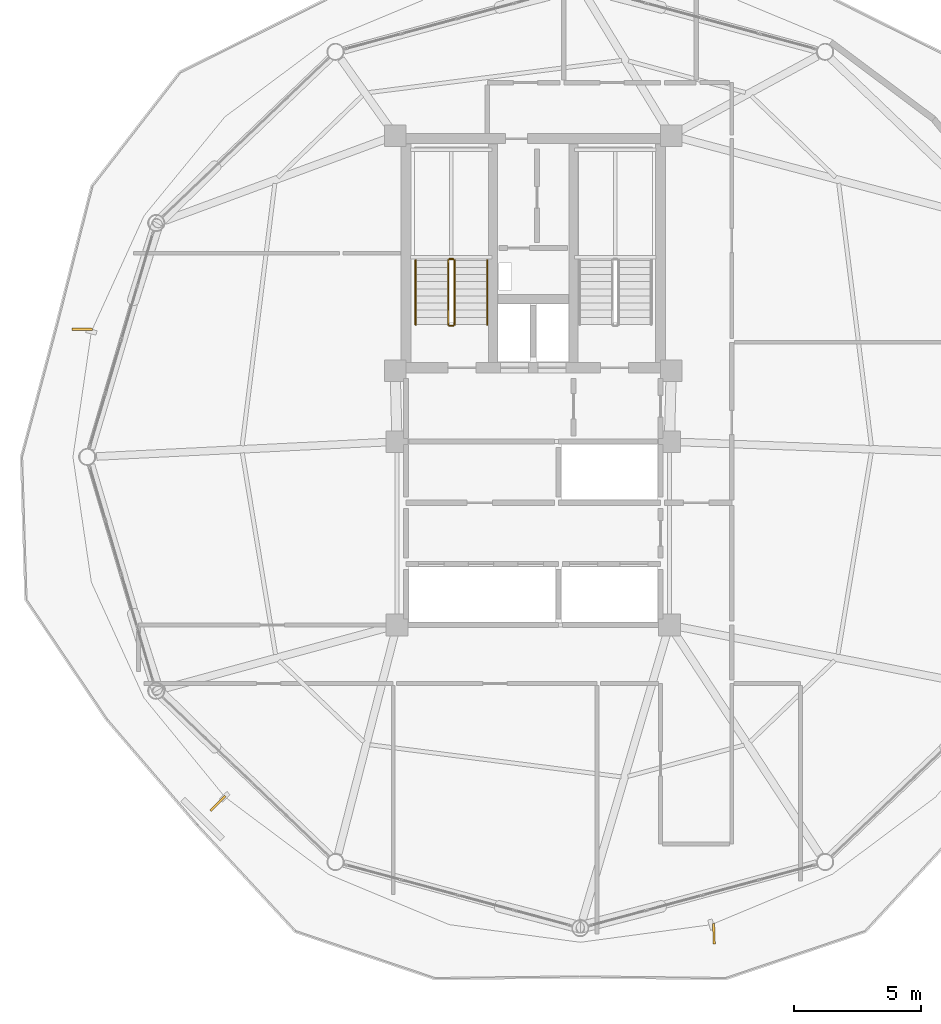
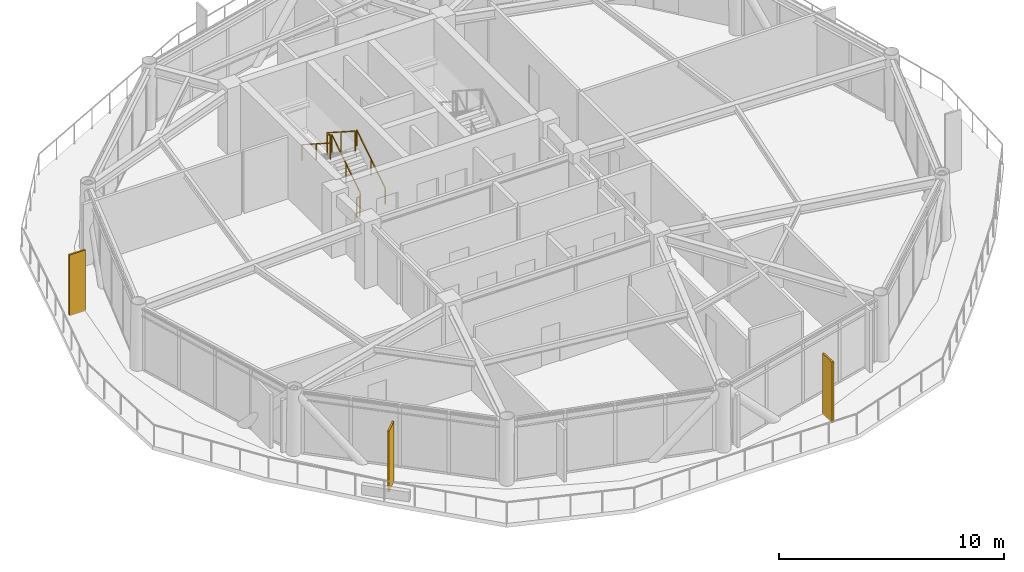
# One storey, part 26 of 28: 6 railings, 3 shading devices.
"""IFC4 building model written with IfcOpenShell, lengths in metres."""

from ifc_helpers import new_model, si_unit, direction, frame, origin, origin_2d, place, context, subcontext, project, spatial, rectangle, extrude, source, transform, mapped, material, type_object, type_shapes, element, save


model = new_model("IFC4")

# Units and contexts
model_context = context("Model", 3, precision=1e-05, world=origin(), true_north=direction((0.0, 1.0)))
body_context = subcontext(model_context, "Body", "Model", "MODEL_VIEW")
ifc_project = project(units=[si_unit("LENGTHUNIT", "METRE"), si_unit("AREAUNIT", "SQUARE_METRE"), si_unit("VOLUMEUNIT", "CUBIC_METRE"), si_unit("PLANEANGLEUNIT", "RADIAN"), si_unit("MASSUNIT", "GRAM", prefix="KILO")], contexts=[model_context])

# Site, building, storey
site_placement = place(None, origin())
site = spatial("IfcSite", under=ifc_project, at=site_placement, CompositionType="ELEMENT")
building_placement = place(site_placement, origin())
building = spatial("IfcBuilding", under=site, at=building_placement, Name="Varnakorn Sky Granary", CompositionType="ELEMENT")
storey_placement = place(building_placement, frame((0.0, 0.0, 200.39990234375)))
storey = spatial("IfcBuildingStorey", under=building, at=storey_placement, Name="L50", CompositionType="ELEMENT", Elevation=200.39990234375)

# Railings
ifc_material_1 = material(Name="Brushed Stainless Steel 316", Category="steel")
railing_type_1 = type_object("IfcRailingType", Name="RL-STAIR-1100", PredefinedType="GUARDRAIL", material=ifc_material_1)
railing_1_placement = place(storey_placement, frame((-0.090087890625, 5.199951171875, 0.18017578125)))
element("IfcRailing", 1, at=railing_1_placement, inside=storey, type_object=railing_type_1, Name="L50 ST-1 stair guard 1", PredefinedType="GUARDRAIL", context=body_context, shape_type="SweptSolid", body=[
    extrude(rectangle(XDim=0.048095703125, YDim=0.048095703125, at=origin_2d()), frame((0.0, 0.0, 1.076171875), z_axis=(0.0, 0.841199657755, 0.540724639528), x_axis=(-1.0, 0.0, 0.0)), (0.0, 0.0, 1.0), 2.995849609375),
    extrude(rectangle(XDim=0.0419921875, YDim=0.0419921875, at=origin_2d()), origin(), (0.0, 0.0, 1.0), 1.048095703125),
    extrude(rectangle(XDim=0.0419921875, YDim=0.0419921875, at=origin_2d()), frame((0.0, 1.260009765625, 0.81005859375)), (0.0, 0.0, 1.0), 1.048095703125),
    extrude(rectangle(XDim=0.0419921875, YDim=0.0419921875, at=origin_2d()), frame((0.0, 2.52001953125, 1.619873046875)), (0.0, 0.0, 1.0), 1.048095703125),
])
railing_2_placement = place(storey_placement, frame((-0.139892578125, 7.77001953125, 1.800048828125)))
element("IfcRailing", 2, at=railing_2_placement, inside=storey, type_object=railing_type_1, Name="L50 ST-1 stair guard 2", PredefinedType="GUARDRAIL", context=body_context, shape_type="SweptSolid", body=[
    extrude(rectangle(XDim=0.048095703125, YDim=0.048095703125, at=origin_2d()), frame((0.0, 0.0, 1.076171875), z_axis=(-1.0, 0.0, 0.0), x_axis=(0.0, -1.0, 0.0)), (0.0, 0.0, 1.0), 0.150146484375),
    extrude(rectangle(XDim=0.0419921875, YDim=0.0419921875, at=origin_2d()), origin(), (0.0, 0.0, 1.0), 1.048095703125),
    extrude(rectangle(XDim=0.0419921875, YDim=0.0419921875, at=origin_2d()), frame((-0.150146484375, 0.0, 0.0)), (0.0, 0.0, 1.0), 1.048095703125),
])
railing_3_placement = place(storey_placement, frame((-0.340087890625, 7.719970703125, 1.97998046875)))
element("IfcRailing", 3, at=railing_3_placement, inside=storey, type_object=railing_type_1, Name="L50 ST-1 stair guard 3", PredefinedType="GUARDRAIL", context=body_context, shape_type="SweptSolid", body=[
    extrude(rectangle(XDim=0.048095703125, YDim=0.048095703125, at=origin_2d()), frame((0.0, 0.0, 1.076171875), z_axis=(0.0, -0.841162588446, 0.540782303519), x_axis=(1.0, 0.0, 0.0)), (0.0, 0.0, 1.0), 2.995849609375),
    extrude(rectangle(XDim=0.0419921875, YDim=0.0419921875, at=origin_2d()), origin(), (0.0, 0.0, 1.0), 1.048095703125),
    extrude(rectangle(XDim=0.0419921875, YDim=0.0419921875, at=origin_2d()), frame((0.0, -1.260009765625, 0.81005859375)), (0.0, 0.0, 1.0), 1.048095703125),
    extrude(rectangle(XDim=0.0419921875, YDim=0.0419921875, at=origin_2d()), frame((0.0, -2.52001953125, 1.6201171875)), (0.0, 0.0, 1.0), 1.048095703125),
])
railing_4_placement = place(storey_placement, frame((-0.139892578125, 5.14990234375, 0.0)))
element("IfcRailing", 4, at=railing_4_placement, inside=storey, type_object=railing_type_1, Name="L50 ST-1 stair guard 4", PredefinedType="GUARDRAIL", context=body_context, shape_type="SweptSolid", body=[
    extrude(rectangle(XDim=0.048095703125, YDim=0.048095703125, at=origin_2d()), frame((0.0, 0.0, 1.076171875), z_axis=(-1.0, 0.0, 0.0), x_axis=(0.0, -1.0, 0.0)), (0.0, 0.0, 1.0), 0.150146484375),
    extrude(rectangle(XDim=0.0419921875, YDim=0.0419921875, at=origin_2d()), origin(), (0.0, 0.0, 1.0), 1.048095703125),
    extrude(rectangle(XDim=0.0419921875, YDim=0.0419921875, at=origin_2d()), frame((-0.150146484375, 0.0, 0.0)), (0.0, 0.0, 1.0), 1.048095703125),
])
railing_type_2 = type_object("IfcRailingType", Name="RL-STAIR-920", PredefinedType="HANDRAIL", material=ifc_material_1)
railing_5_placement = place(storey_placement, frame((1.18994140625, 5.199951171875, 0.18017578125)))
element("IfcRailing", 5, at=railing_5_placement, inside=storey, type_object=railing_type_2, Name="L50 ST-1 stair handrail 1", PredefinedType="HANDRAIL", context=body_context, shape_type="SweptSolid", body=[
    extrude(rectangle(XDim=0.048095703125, YDim=0.048095703125, at=origin_2d()), frame((0.0, 0.0, 0.8759765625), z_axis=(0.0, 0.841199657755, 0.540724639528), x_axis=(-1.0, 0.0, 0.0)), (0.0, 0.0, 1.0), 2.995849609375),
    extrude(rectangle(XDim=0.0419921875, YDim=0.0419921875, at=origin_2d()), origin(), (0.0, 0.0, 1.0), 0.847900390625),
    extrude(rectangle(XDim=0.0419921875, YDim=0.0419921875, at=origin_2d()), frame((0.0, 1.260009765625, 0.81005859375)), (0.0, 0.0, 1.0), 0.847900390625),
    extrude(rectangle(XDim=0.0419921875, YDim=0.0419921875, at=origin_2d()), frame((0.0, 2.52001953125, 1.619873046875)), (0.0, 0.0, 1.0), 0.847900390625),
])
railing_6_placement = place(storey_placement, frame((-1.6201171875, 7.719970703125, 1.97998046875)))
element("IfcRailing", 6, at=railing_6_placement, inside=storey, type_object=railing_type_2, Name="L50 ST-1 stair handrail 2", PredefinedType="HANDRAIL", context=body_context, shape_type="SweptSolid", body=[
    extrude(rectangle(XDim=0.048095703125, YDim=0.048095703125, at=origin_2d()), frame((0.0, 0.0, 0.8759765625), z_axis=(0.0, -0.841162588446, 0.540782303519), x_axis=(1.0, 0.0, 0.0)), (0.0, 0.0, 1.0), 2.995849609375),
    extrude(rectangle(XDim=0.0419921875, YDim=0.0419921875, at=origin_2d()), origin(), (0.0, 0.0, 1.0), 0.847900390625),
    extrude(rectangle(XDim=0.0419921875, YDim=0.0419921875, at=origin_2d()), frame((0.0, -1.260009765625, 0.81005859375)), (0.0, 0.0, 1.0), 0.847900390625),
    extrude(rectangle(XDim=0.0419921875, YDim=0.0419921875, at=origin_2d()), frame((0.0, -2.52001953125, 1.6201171875)), (0.0, 0.0, 1.0), 0.847900390625),
])

# Shading devices
ifc_material_2 = material(Name="Anodised Bronze Aluminium Alloy 6063-T6", Category="aluminium")
shading_device_type = type_object("IfcShadingDeviceType", Name="SH-FIN-02", PredefinedType="USERDEFINED", material=ifc_material_2)
shared_shape = source(origin(), body_context, "Body", "SweptSolid", [
    extrude(rectangle(XDim=0.0849609375, YDim=0.820068359375, at=origin_2d()), origin(), (0.0, 0.0, 1.0), 3.300048828125),
])
type_shapes(shading_device_type, [shared_shape])
for number, where, z_axis, x_axis, name in (
    (7, (-14.71240234375, 5.0126953125, -0.0400390625), (0.0, 0.0, 1.0), (-0.006012121795, -0.999981927032, 0.0), "Bronze Solar-Tracking Vertical Blade FIN L50-06"),
    (8, (-9.3818359375, -13.60595703125, -0.0400390625), (0.0, 0.0, 1.0), (0.700051444513, -0.714092413511, 0.0), "Bronze Solar-Tracking Vertical Blade FIN L50-08"),
    (9, (10.0966796875, -18.725830078125, -0.0400390625), (0.0, 0.0, 1.0), (0.999402199136, 0.034572306303, 0.0), "Bronze Solar-Tracking Vertical Blade FIN L50-10"),
):
    element("IfcShadingDevice", number, at=place(storey_placement, frame(where, z_axis=z_axis, x_axis=x_axis)), inside=storey, type_object=shading_device_type, Name=name, ObjectType="FIN", PredefinedType="USERDEFINED", context=body_context, shape_type="MappedRepresentation", body=[
        mapped(shared_shape, transform((0.0, 0.0, 0.0), x_axis=(1.0, 0.0, 0.0), y_axis=(0.0, 1.0, 0.0), z_axis=(0.0, 0.0, 1.0), scale=1.0)),
    ])

save(model, "model.ifc")
